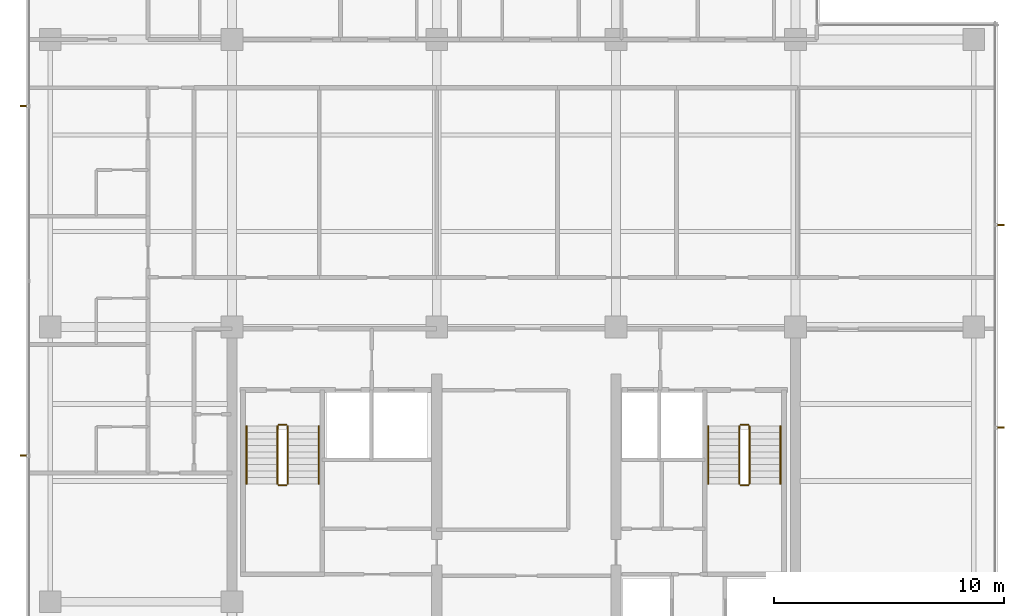
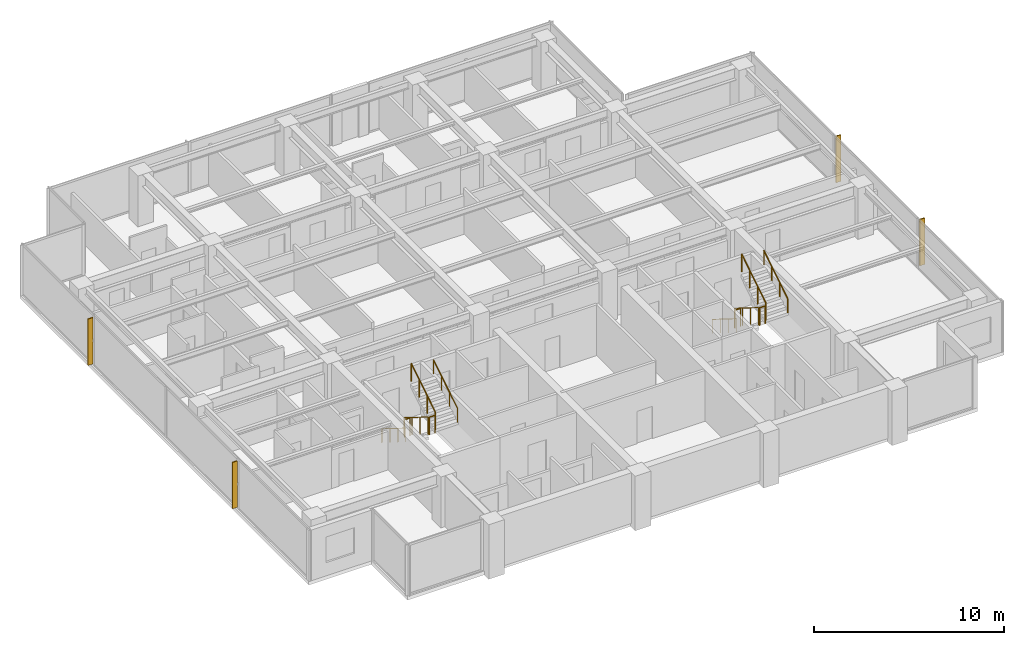
# One storey, part 14 of 15: 12 railings, 4 shading devices.
"""IFC4 building model written with IfcOpenShell, lengths in metres."""

from ifc_helpers import new_model, si_unit, direction, frame, origin, origin_2d, place, context, subcontext, project, spatial, polyline, circle, outline, extrude, material, layer, layer_set, type_object, element, save


model = new_model("IFC4")

# Units and contexts
model_context = context("Model", 3, precision=1e-05, world=origin(), true_north=direction((0.0, 1.0)))
body_context = subcontext(model_context, "Body", "Model", "MODEL_VIEW")
ifc_project = project(units=[si_unit("LENGTHUNIT", "METRE"), si_unit("AREAUNIT", "SQUARE_METRE"), si_unit("VOLUMEUNIT", "CUBIC_METRE"), si_unit("PLANEANGLEUNIT", "RADIAN"), si_unit("MASSUNIT", "GRAM", prefix="KILO")], contexts=[model_context])

# Site, building, storey
site_placement = place(None, origin())
site = spatial("IfcSite", under=ifc_project, at=site_placement, CompositionType="ELEMENT")
building_placement = place(site_placement, origin())
building = spatial("IfcBuilding", under=site, at=building_placement, Name="Qalmaran Belvedere Hotel", CompositionType="ELEMENT")
storey_placement = place(building_placement, frame((0.0, 0.0, 203.89990234375)))
storey = spatial("IfcBuildingStorey", under=building, at=storey_placement, Name="L51", CompositionType="ELEMENT", Elevation=203.89990234375)

# Shading devices
ifc_material_1 = material(Name="Anodised Bronze Aluminium", Category="aluminium")
ifc_layer = layer(ifc_material_1, 0.06494140625, Name="Anodised Bronze Aluminium")
ifc_layer_set = layer_set([ifc_layer], Name="Anodised Bronze Aluminium")
shading_device_type = type_object("IfcShadingDeviceType", Name="FIN-BRNZ-300", PredefinedType="USERDEFINED", material=ifc_layer_set)
shading_device_1_placement = place(storey_placement, frame((0.0, 0.0, 0.16015625)))
element("IfcShadingDevice", 1, at=shading_device_1_placement, inside=storey, type_object=shading_device_type, Name="L51 Bronze Fin 1", ObjectType="FIN", PredefinedType="USERDEFINED", context=body_context, shape_type="SweptSolid", body=[
    extrude(outline(polyline([(53.5673828125, 16.084228515625), (53.867431640625, 16.084228515625), (53.867431640625, 16.149169921875), (53.5673828125, 16.149169921875), (53.5673828125, 16.084228515625)])), origin(), (0.0, 0.0, 1.0), 2.97998046875),
])
shading_device_2_placement = place(storey_placement, frame((0.0, 0.0, 0.16015625)))
element("IfcShadingDevice", 2, at=shading_device_2_placement, inside=storey, type_object=shading_device_type, Name="L51 Bronze Fin 2", ObjectType="FIN", PredefinedType="USERDEFINED", context=body_context, shape_type="SweptSolid", body=[
    extrude(outline(polyline([(53.5673828125, 24.90087890625), (53.867431640625, 24.90087890625), (53.867431640625, 24.9658203125), (53.5673828125, 24.9658203125), (53.5673828125, 24.90087890625)])), origin(), (0.0, 0.0, 1.0), 2.97998046875),
])
shading_device_3_placement = place(storey_placement, frame((0.0, 0.0, 0.16015625)))
element("IfcShadingDevice", 3, at=shading_device_3_placement, inside=storey, type_object=shading_device_type, Name="L51 Bronze Fin 1", ObjectType="FIN", PredefinedType="USERDEFINED", context=body_context, shape_type="SweptSolid", body=[
    extrude(outline(polyline([(11.382568359375, 30.132568359375), (11.08251953125, 30.132568359375), (11.08251953125, 30.0673828125), (11.382568359375, 30.0673828125), (11.382568359375, 30.132568359375)])), origin(), (0.0, 0.0, 1.0), 2.97998046875),
])
shading_device_4_placement = place(storey_placement, frame((0.0, 0.0, 0.16015625)))
element("IfcShadingDevice", 4, at=shading_device_4_placement, inside=storey, type_object=shading_device_type, Name="L51 Bronze Fin 3", ObjectType="FIN", PredefinedType="USERDEFINED", context=body_context, shape_type="SweptSolid", body=[
    extrude(outline(polyline([(11.382568359375, 14.9326171875), (11.08251953125, 14.9326171875), (11.08251953125, 14.867431640625), (11.382568359375, 14.867431640625), (11.382568359375, 14.9326171875)])), origin(), (0.0, 0.0, 1.0), 2.97998046875),
])

# Railings
ifc_material_2 = material(Name="Stainless Steel 1.4401", Category="steel")
railing_type_1 = type_object("IfcRailingType", Name="RLG-STAIR-GUARD-1150", PredefinedType="GUARDRAIL", material=ifc_material_2)
railing_1_placement = place(storey_placement, frame((22.280029296875, 16.18994140625, 0.175048828125)))
element("IfcRailing", 5, at=railing_1_placement, inside=storey, type_object=railing_type_1, Name="L51 ST-1 stair guard 1", PredefinedType="GUARDRAIL", context=body_context, shape_type="SweptSolid", body=[
    extrude(circle(Radius=0.02392578125, at=origin_2d()), frame((0.0, 0.0, 1.1259765625), z_axis=(0.0, -0.848007534815, 0.529984170421), x_axis=(1.0, 0.0, 0.0)), (0.0, 0.0, 1.0), 2.9716796875),
    extrude(circle(Radius=0.02099609375, at=origin_2d()), origin(), (0.0, 0.0, 1.0), 1.101806640625),
    extrude(circle(Radius=0.02099609375, at=origin_2d()), frame((0.0, -0.840087890625, 0.52490234375)), (0.0, 0.0, 1.0), 1.101806640625),
    extrude(circle(Radius=0.02099609375, at=origin_2d()), frame((0.0, -1.679931640625, 1.050048828125)), (0.0, 0.0, 1.0), 1.101806640625),
    extrude(circle(Radius=0.02099609375, at=origin_2d()), frame((0.0, -2.52001953125, 1.574951171875)), (0.0, 0.0, 1.0), 1.101806640625),
])
railing_2_placement = place(storey_placement, frame((22.330078125, 13.6201171875, 1.75)))
element("IfcRailing", 6, at=railing_2_placement, inside=storey, type_object=railing_type_1, Name="L51 ST-1 stair guard 2", PredefinedType="GUARDRAIL", context=body_context, shape_type="SweptSolid", body=[
    extrude(circle(Radius=0.02392578125, at=origin_2d()), frame((0.0, 0.0, 1.1259765625), z_axis=(1.0, 0.0, 0.0), x_axis=(0.0, 1.0, 0.0)), (0.0, 0.0, 1.0), 0.33984375),
    extrude(circle(Radius=0.02099609375, at=origin_2d()), origin(), (0.0, 0.0, 1.0), 1.101806640625),
    extrude(circle(Radius=0.02099609375, at=origin_2d()), frame((0.33984375, 0.0, 0.0)), (0.0, 0.0, 1.0), 1.101806640625),
])
railing_3_placement = place(storey_placement, frame((22.719970703125, 13.669921875, 1.925048828125)))
element("IfcRailing", 7, at=railing_3_placement, inside=storey, type_object=railing_type_1, Name="L51 ST-1 stair guard 3", PredefinedType="GUARDRAIL", context=body_context, shape_type="SweptSolid", body=[
    extrude(circle(Radius=0.02392578125, at=origin_2d()), frame((0.0, 0.0, 1.1259765625), z_axis=(0.0, 0.848007534815, 0.529984170421), x_axis=(-1.0, 0.0, 0.0)), (0.0, 0.0, 1.0), 2.9716796875),
    extrude(circle(Radius=0.02099609375, at=origin_2d()), origin(), (0.0, 0.0, 1.0), 1.101806640625),
    extrude(circle(Radius=0.02099609375, at=origin_2d()), frame((0.0, 0.840087890625, 0.52490234375)), (0.0, 0.0, 1.0), 1.101806640625),
    extrude(circle(Radius=0.02099609375, at=origin_2d()), frame((0.0, 1.679931640625, 1.050048828125)), (0.0, 0.0, 1.0), 1.101806640625),
    extrude(circle(Radius=0.02099609375, at=origin_2d()), frame((0.0, 2.52001953125, 1.574951171875)), (0.0, 0.0, 1.0), 1.101806640625),
])
railing_4_placement = place(storey_placement, frame((22.330078125, 16.239990234375, 0.0)))
element("IfcRailing", 8, at=railing_4_placement, inside=storey, type_object=railing_type_1, Name="L51 ST-1 stair guard 4", PredefinedType="GUARDRAIL", context=body_context, shape_type="SweptSolid", body=[
    extrude(circle(Radius=0.02392578125, at=origin_2d()), frame((0.0, 0.0, 1.1259765625), z_axis=(1.0, 0.0, 0.0), x_axis=(0.0, 1.0, 0.0)), (0.0, 0.0, 1.0), 0.33984375),
    extrude(circle(Radius=0.02099609375, at=origin_2d()), origin(), (0.0, 0.0, 1.0), 1.101806640625),
    extrude(circle(Radius=0.02099609375, at=origin_2d()), frame((0.33984375, 0.0, 0.0)), (0.0, 0.0, 1.0), 1.101806640625),
])
railing_5_placement = place(storey_placement, frame((42.360107421875, 16.18994140625, 0.175048828125)))
element("IfcRailing", 9, at=railing_5_placement, inside=storey, type_object=railing_type_1, Name="L51 ST-2 stair guard 1", PredefinedType="GUARDRAIL", context=body_context, shape_type="SweptSolid", body=[
    extrude(circle(Radius=0.02392578125, at=origin_2d()), frame((0.0, 0.0, 1.1259765625), z_axis=(0.0, -0.848007534815, 0.529984170421), x_axis=(1.0, 0.0, 0.0)), (0.0, 0.0, 1.0), 2.9716796875),
    extrude(circle(Radius=0.02099609375, at=origin_2d()), origin(), (0.0, 0.0, 1.0), 1.101806640625),
    extrude(circle(Radius=0.02099609375, at=origin_2d()), frame((0.0, -0.840087890625, 0.52490234375)), (0.0, 0.0, 1.0), 1.101806640625),
    extrude(circle(Radius=0.02099609375, at=origin_2d()), frame((0.0, -1.679931640625, 1.050048828125)), (0.0, 0.0, 1.0), 1.101806640625),
    extrude(circle(Radius=0.02099609375, at=origin_2d()), frame((0.0, -2.52001953125, 1.574951171875)), (0.0, 0.0, 1.0), 1.101806640625),
])
railing_6_placement = place(storey_placement, frame((42.409912109375, 13.6201171875, 1.75)))
element("IfcRailing", 10, at=railing_6_placement, inside=storey, type_object=railing_type_1, Name="L51 ST-2 stair guard 2", PredefinedType="GUARDRAIL", context=body_context, shape_type="SweptSolid", body=[
    extrude(circle(Radius=0.02392578125, at=origin_2d()), frame((0.0, 0.0, 1.1259765625), z_axis=(1.0, 0.0, 0.0), x_axis=(0.0, 1.0, 0.0)), (0.0, 0.0, 1.0), 0.340087890625),
    extrude(circle(Radius=0.02099609375, at=origin_2d()), origin(), (0.0, 0.0, 1.0), 1.101806640625),
    extrude(circle(Radius=0.02099609375, at=origin_2d()), frame((0.340087890625, 0.0, 0.0)), (0.0, 0.0, 1.0), 1.101806640625),
])
railing_7_placement = place(storey_placement, frame((42.800048828125, 13.669921875, 1.925048828125)))
element("IfcRailing", 11, at=railing_7_placement, inside=storey, type_object=railing_type_1, Name="L51 ST-2 stair guard 3", PredefinedType="GUARDRAIL", context=body_context, shape_type="SweptSolid", body=[
    extrude(circle(Radius=0.02392578125, at=origin_2d()), frame((0.0, 0.0, 1.1259765625), z_axis=(0.0, 0.848007534815, 0.529984170421), x_axis=(-1.0, 0.0, 0.0)), (0.0, 0.0, 1.0), 2.9716796875),
    extrude(circle(Radius=0.02099609375, at=origin_2d()), origin(), (0.0, 0.0, 1.0), 1.101806640625),
    extrude(circle(Radius=0.02099609375, at=origin_2d()), frame((0.0, 0.840087890625, 0.52490234375)), (0.0, 0.0, 1.0), 1.101806640625),
    extrude(circle(Radius=0.02099609375, at=origin_2d()), frame((0.0, 1.679931640625, 1.050048828125)), (0.0, 0.0, 1.0), 1.101806640625),
    extrude(circle(Radius=0.02099609375, at=origin_2d()), frame((0.0, 2.52001953125, 1.574951171875)), (0.0, 0.0, 1.0), 1.101806640625),
])
railing_8_placement = place(storey_placement, frame((42.409912109375, 16.239990234375, 0.0)))
element("IfcRailing", 12, at=railing_8_placement, inside=storey, type_object=railing_type_1, Name="L51 ST-2 stair guard 4", PredefinedType="GUARDRAIL", context=body_context, shape_type="SweptSolid", body=[
    extrude(circle(Radius=0.02392578125, at=origin_2d()), frame((0.0, 0.0, 1.1259765625), z_axis=(1.0, 0.0, 0.0), x_axis=(0.0, 1.0, 0.0)), (0.0, 0.0, 1.0), 0.340087890625),
    extrude(circle(Radius=0.02099609375, at=origin_2d()), origin(), (0.0, 0.0, 1.0), 1.101806640625),
    extrude(circle(Radius=0.02099609375, at=origin_2d()), frame((0.340087890625, 0.0, 0.0)), (0.0, 0.0, 1.0), 1.101806640625),
])
railing_type_2 = type_object("IfcRailingType", Name="RLG-STAIR-HAND-910", PredefinedType="HANDRAIL", material=ifc_material_2)
railing_9_placement = place(storey_placement, frame((20.929931640625, 16.18994140625, 0.175048828125)))
element("IfcRailing", 13, at=railing_9_placement, inside=storey, type_object=railing_type_2, Name="L51 ST-1 stair handrail 1", PredefinedType="HANDRAIL", context=body_context, shape_type="SweptSolid", body=[
    extrude(circle(Radius=0.02392578125, at=origin_2d()), frame((0.0, 0.0, 0.8857421875), z_axis=(0.0, -0.848007534815, 0.529984170421), x_axis=(1.0, 0.0, 0.0)), (0.0, 0.0, 1.0), 2.9716796875),
    extrude(circle(Radius=0.02099609375, at=origin_2d()), origin(), (0.0, 0.0, 1.0), 0.86181640625),
    extrude(circle(Radius=0.02099609375, at=origin_2d()), frame((0.0, -0.840087890625, 0.52490234375)), (0.0, 0.0, 1.0), 0.86181640625),
    extrude(circle(Radius=0.02099609375, at=origin_2d()), frame((0.0, -1.679931640625, 1.050048828125)), (0.0, 0.0, 1.0), 0.86181640625),
    extrude(circle(Radius=0.02099609375, at=origin_2d()), frame((0.0, -2.52001953125, 1.574951171875)), (0.0, 0.0, 1.0), 0.86181640625),
])
railing_10_placement = place(storey_placement, frame((24.070068359375, 13.669921875, 1.925048828125)))
element("IfcRailing", 14, at=railing_10_placement, inside=storey, type_object=railing_type_2, Name="L51 ST-1 stair handrail 2", PredefinedType="HANDRAIL", context=body_context, shape_type="SweptSolid", body=[
    extrude(circle(Radius=0.02392578125, at=origin_2d()), frame((0.0, 0.0, 0.8857421875), z_axis=(0.0, 0.848007534815, 0.529984170421), x_axis=(-1.0, 0.0, 0.0)), (0.0, 0.0, 1.0), 2.9716796875),
    extrude(circle(Radius=0.02099609375, at=origin_2d()), origin(), (0.0, 0.0, 1.0), 0.86181640625),
    extrude(circle(Radius=0.02099609375, at=origin_2d()), frame((0.0, 0.840087890625, 0.52490234375)), (0.0, 0.0, 1.0), 0.86181640625),
    extrude(circle(Radius=0.02099609375, at=origin_2d()), frame((0.0, 1.679931640625, 1.050048828125)), (0.0, 0.0, 1.0), 0.86181640625),
    extrude(circle(Radius=0.02099609375, at=origin_2d()), frame((0.0, 2.52001953125, 1.574951171875)), (0.0, 0.0, 1.0), 0.86181640625),
])
railing_11_placement = place(storey_placement, frame((41.010009765625, 16.18994140625, 0.175048828125)))
element("IfcRailing", 15, at=railing_11_placement, inside=storey, type_object=railing_type_2, Name="L51 ST-2 stair handrail 1", PredefinedType="HANDRAIL", context=body_context, shape_type="SweptSolid", body=[
    extrude(circle(Radius=0.02392578125, at=origin_2d()), frame((0.0, 0.0, 0.8857421875), z_axis=(0.0, -0.848007534815, 0.529984170421), x_axis=(1.0, 0.0, 0.0)), (0.0, 0.0, 1.0), 2.9716796875),
    extrude(circle(Radius=0.02099609375, at=origin_2d()), origin(), (0.0, 0.0, 1.0), 0.86181640625),
    extrude(circle(Radius=0.02099609375, at=origin_2d()), frame((0.0, -0.840087890625, 0.52490234375)), (0.0, 0.0, 1.0), 0.86181640625),
    extrude(circle(Radius=0.02099609375, at=origin_2d()), frame((0.0, -1.679931640625, 1.050048828125)), (0.0, 0.0, 1.0), 0.86181640625),
    extrude(circle(Radius=0.02099609375, at=origin_2d()), frame((0.0, -2.52001953125, 1.574951171875)), (0.0, 0.0, 1.0), 0.86181640625),
])
railing_12_placement = place(storey_placement, frame((44.14990234375, 13.669921875, 1.925048828125)))
element("IfcRailing", 16, at=railing_12_placement, inside=storey, type_object=railing_type_2, Name="L51 ST-2 stair handrail 2", PredefinedType="HANDRAIL", context=body_context, shape_type="SweptSolid", body=[
    extrude(circle(Radius=0.02392578125, at=origin_2d()), frame((0.0, 0.0, 0.8857421875), z_axis=(0.0, 0.848007534815, 0.529984170421), x_axis=(-1.0, 0.0, 0.0)), (0.0, 0.0, 1.0), 2.9716796875),
    extrude(circle(Radius=0.02099609375, at=origin_2d()), origin(), (0.0, 0.0, 1.0), 0.86181640625),
    extrude(circle(Radius=0.02099609375, at=origin_2d()), frame((0.0, 0.840087890625, 0.52490234375)), (0.0, 0.0, 1.0), 0.86181640625),
    extrude(circle(Radius=0.02099609375, at=origin_2d()), frame((0.0, 1.679931640625, 1.050048828125)), (0.0, 0.0, 1.0), 0.86181640625),
    extrude(circle(Radius=0.02099609375, at=origin_2d()), frame((0.0, 2.52001953125, 1.574951171875)), (0.0, 0.0, 1.0), 0.86181640625),
])

save(model, "model.ifc")
